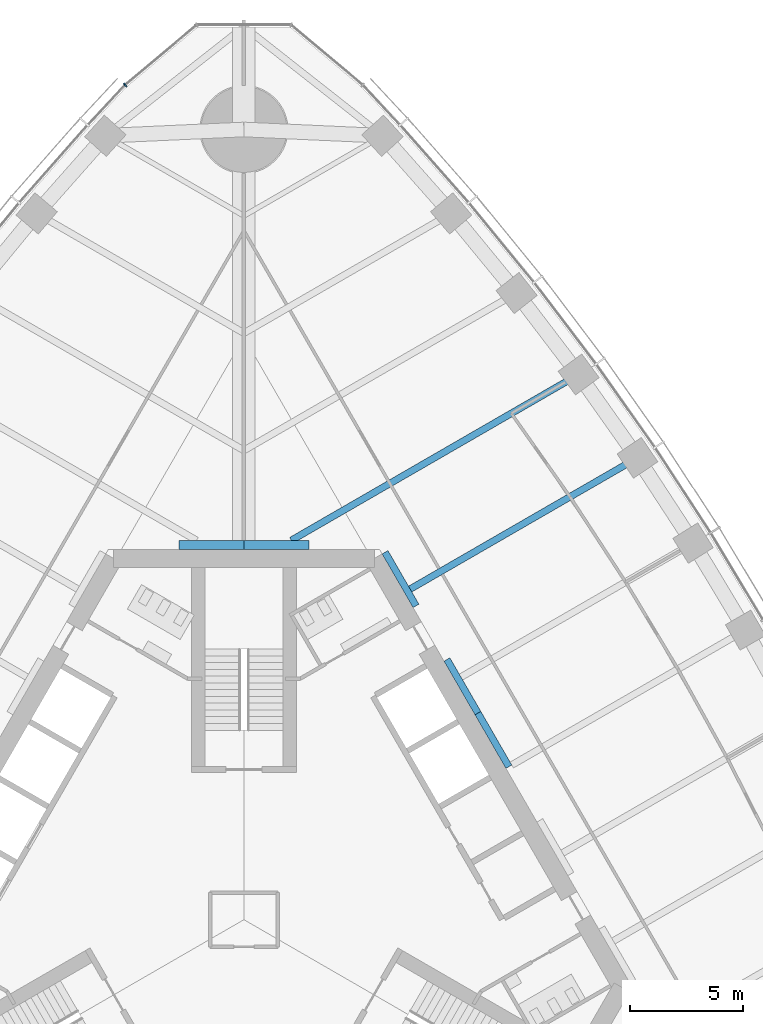
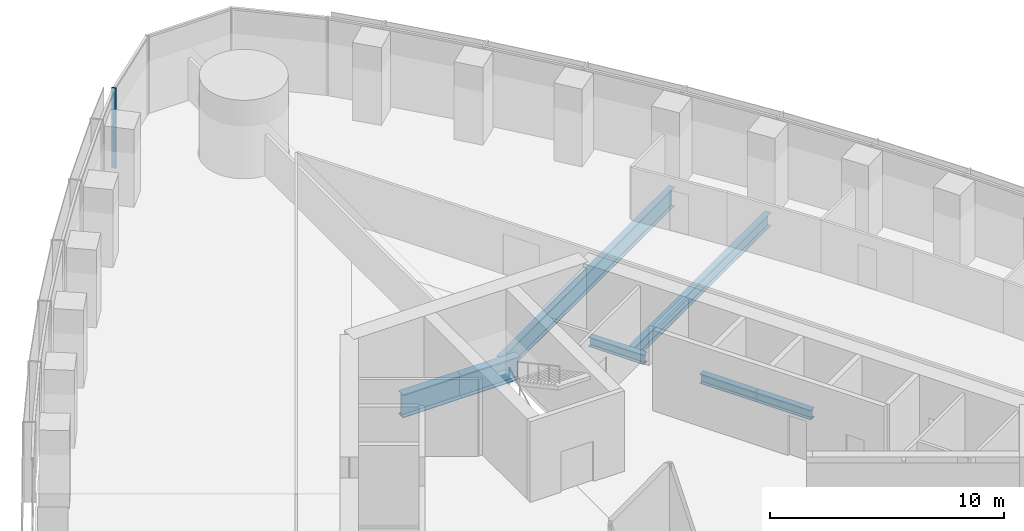
# One storey, part 5 of 19: 7 beams, 1 member, 1 element without a shape of its own.
"""IFC4 building model written with IfcOpenShell, lengths in metres."""

from ifc_helpers import new_model, si_unit, direction, frame, origin, origin_2d, place, context, subcontext, project, spatial, rectangle, i_section, extrude, material, material_profile, profile_set, type_object, element, aggregate, save


model = new_model("IFC4")

# Units and contexts
model_context = context("Model", 3, precision=1e-05, world=origin(), true_north=direction((0.0, 1.0)))
body_context = subcontext(model_context, "Body", "Model", "MODEL_VIEW")
ifc_project = project(units=[si_unit("LENGTHUNIT", "METRE"), si_unit("AREAUNIT", "SQUARE_METRE"), si_unit("VOLUMEUNIT", "CUBIC_METRE"), si_unit("PLANEANGLEUNIT", "RADIAN"), si_unit("MASSUNIT", "GRAM", prefix="KILO")], contexts=[model_context])

# Site, building, storey
site_placement = place(None, origin())
site = spatial("IfcSite", under=ifc_project, at=site_placement, CompositionType="ELEMENT")
building_placement = place(site_placement, origin())
building = spatial("IfcBuilding", under=site, at=building_placement, Name="Trefoil Bronze Tower", CompositionType="ELEMENT")
storey_placement = place(building_placement, frame((0.0, 0.0, 119.89990234375)))
storey = spatial("IfcBuildingStorey", under=building, at=storey_placement, Name="L27", CompositionType="ELEMENT", Elevation=119.89990234375)

# Curtain wall, member
ifc_material_1 = material(Name="Tinted solar-control glass", Category="glass")
curtain_wall_type = type_object("IfcCurtainWallType", Name="Bronze rounded corner curtain wall", PredefinedType="USERDEFINED", material=ifc_material_1)
curtain_wall_placement = place(storey_placement, origin())
curtain_wall = element("IfcCurtainWall", 1, at=curtain_wall_placement, inside=storey, type_object=curtain_wall_type, Name="CW-B L27 K2", ObjectType="CURTAIN WALL", PredefinedType="USERDEFINED")
ifc_material_2 = material(Name="Bronze-finish aluminium", Category="aluminium")
ifc_material_profile_1 = material_profile(ifc_material_2, rectangle(XDim=0.199951171875, YDim=0.06005859375, at=origin_2d()), Name="CW-B mullion")
ifc_profile_set_1 = profile_set([ifc_material_profile_1], Name="Bronze-finish aluminium")
member_type = type_object("IfcMemberType", Name="Bronze rounded corner curtain wall mullion", PredefinedType="MULLION", material=ifc_profile_set_1)
member_placement = place(storey_placement, frame((-5.260498046875, 36.975830078125, 0.0), z_axis=(0.0, 0.0, 1.0), x_axis=(0.642787609687, -0.766044443119, 0.0)))
member = element("IfcMember", 2, at=member_placement, type_object=member_type, Name="CW-B L27 K2 mullion 4", PredefinedType="MULLION", context=body_context, shape_type="SweptSolid", body=[
    extrude(rectangle(XDim=0.199951171875, YDim=0.06005859375, at=origin_2d()), origin(), (0.0, 0.0, 1.0), 4.18017578125),
])
aggregate(curtain_wall, [member])

# Beams
ifc_material_3 = material(Name="Steel C355", Category="steel")
ifc_material_profile_2 = material_profile(ifc_material_3, i_section(OverallWidth=0.300048828125, OverallDepth=0.5, WebThickness=0.014404296875, FlangeThickness=0.028076171875, FilletRadius=0.027099609375, at=origin_2d()), Name="HEB 500")
ifc_profile_set_2 = profile_set([ifc_material_profile_2], Name="Steel C355")
beam_type_1 = type_object("IfcBeamType", Name="Core seat beam HEB 500", PredefinedType="BEAM", material=ifc_profile_set_2)
for number, where, z_axis, x_axis, name in (
    (3, (11.734619140625, 6.77490234375, -0.449951171875), (-0.499969057507, 0.866043267704, 0.0), (-0.866043267704, -0.499969057507, 0.0), "Core seat beam F2/+0 L27"),
    (4, (10.363525390625, 9.14990234375, -0.449951171875), (-0.500035825175, 0.866004719122, 0.0), (-0.866004719122, -0.500035825175, 0.0), "Core seat beam F2/+1 L27"),
    (5, (7.62109375, 13.89990234375, -0.449951171875), (-0.500035825175, 0.866004719122, 0.0), (-0.866004719122, -0.500035825175, 0.0), "Core seat beam F2/+2 L27"),
):
    element("IfcBeam", number, at=place(storey_placement, frame(where, z_axis=z_axis, x_axis=x_axis)), inside=storey, type_object=beam_type_1, Name=name, PredefinedType="BEAM", context=body_context, shape_type="SweptSolid", body=[
        extrude(i_section(OverallWidth=0.300048828125, OverallDepth=0.5, WebThickness=0.014404296875, FlangeThickness=0.028076171875, FilletRadius=0.027099609375, at=origin_2d()), origin(), (0.0, 0.0, 1.0), 2.742431640625),
    ])
ifc_material_4 = material(Name="Steel C355", Category="steel")
ifc_material_profile_3 = material_profile(ifc_material_4, i_section(OverallWidth=0.39990234375, OverallDepth=1.199951171875, WebThickness=0.02001953125, FlangeThickness=0.0400390625, FilletRadius=0.010009765625, at=origin_2d()), Name="WPG 1200")
ifc_profile_set_3 = profile_set([ifc_material_profile_3], Name="Steel C355")
beam_type_2 = type_object("IfcBeamType", Name="Core seat beam WPG 1200", PredefinedType="BEAM", material=ifc_profile_set_3)
for number, where, z_axis, x_axis, name in (
    (6, (2.88671875, 16.60009765625, -0.7998046875), (-1.0, 0.0, 0.0), (0.0, -1.0, 0.0), "Core seat beam F2/+3 L27"),
    (7, (0.0, 16.60009765625, -0.7998046875), (-1.0, 0.0, 0.0), (0.0, -1.0, 0.0), "Core seat beam F3/-3 L27"),
):
    element("IfcBeam", number, at=place(storey_placement, frame(where, z_axis=z_axis, x_axis=x_axis)), inside=storey, type_object=beam_type_2, Name=name, PredefinedType="BEAM", context=body_context, shape_type="SweptSolid", body=[
        extrude(i_section(OverallWidth=0.39990234375, OverallDepth=1.199951171875, WebThickness=0.02001953125, FlangeThickness=0.0400390625, FilletRadius=0.010009765625, at=origin_2d()), origin(), (0.0, 0.0, 1.0), 2.88671875),
    ])
ifc_material_5 = material(Name="Steel C355", Category="steel")
ifc_material_profile_4 = material_profile(ifc_material_5, i_section(OverallWidth=0.300048828125, OverallDepth=1.0, WebThickness=0.01904296875, FlangeThickness=0.035888671875, FilletRadius=0.030029296875, at=origin_2d()), Name="HEB 1000")
ifc_profile_set_4 = profile_set([ifc_material_profile_4], Name="Steel C355")
beam_type_3 = type_object("IfcBeamType", Name="Floor beam HEB 1000", PredefinedType="BEAM", material=ifc_profile_set_4)
beam_1_placement = place(storey_placement, frame((14.825439453125, 24.14794921875, -0.699951171875), z_axis=(-0.866027342682, -0.499996641717, 0.0), x_axis=(0.499996641717, -0.866027342682, 0.0)))
element("IfcBeam", 8, at=beam_1_placement, inside=storey, type_object=beam_type_3, Name="Floor beam F2/+3 L27", PredefinedType="BEAM", context=body_context, shape_type="SweptSolid", body=[
    extrude(i_section(OverallWidth=0.300048828125, OverallDepth=1.0, WebThickness=0.01904296875, FlangeThickness=0.035888671875, FilletRadius=0.030029296875, at=origin_2d()), origin(), (0.0, 0.0, 1.0), 14.69580078125),
])
ifc_material_6 = material(Name="Steel C355", Category="steel")
ifc_material_profile_5 = material_profile(ifc_material_6, i_section(OverallWidth=0.300048828125, OverallDepth=0.699951171875, WebThickness=0.01708984375, FlangeThickness=0.031982421875, FilletRadius=0.027099609375, at=origin_2d()), Name="HEB 700")
ifc_profile_set_5 = profile_set([ifc_material_profile_5], Name="Steel C355")
beam_type_4 = type_object("IfcBeamType", Name="Floor beam HEB 700", PredefinedType="BEAM", material=ifc_profile_set_5)
beam_2_placement = place(storey_placement, frame((17.43017578125, 20.45556640625, -0.5498046875), z_axis=(-0.866030626868, -0.499990953245, 0.0), x_axis=(0.499990953245, -0.866030626868, 0.0)))
element("IfcBeam", 9, at=beam_2_placement, inside=storey, type_object=beam_type_4, Name="Floor beam F2/+2 L27", PredefinedType="BEAM", context=body_context, shape_type="SweptSolid", body=[
    extrude(i_section(OverallWidth=0.300048828125, OverallDepth=0.699951171875, WebThickness=0.01708984375, FlangeThickness=0.031982421875, FilletRadius=0.027099609375, at=origin_2d()), origin(), (0.0, 0.0, 1.0), 11.622802734375),
])

save(model, "model.ifc")
